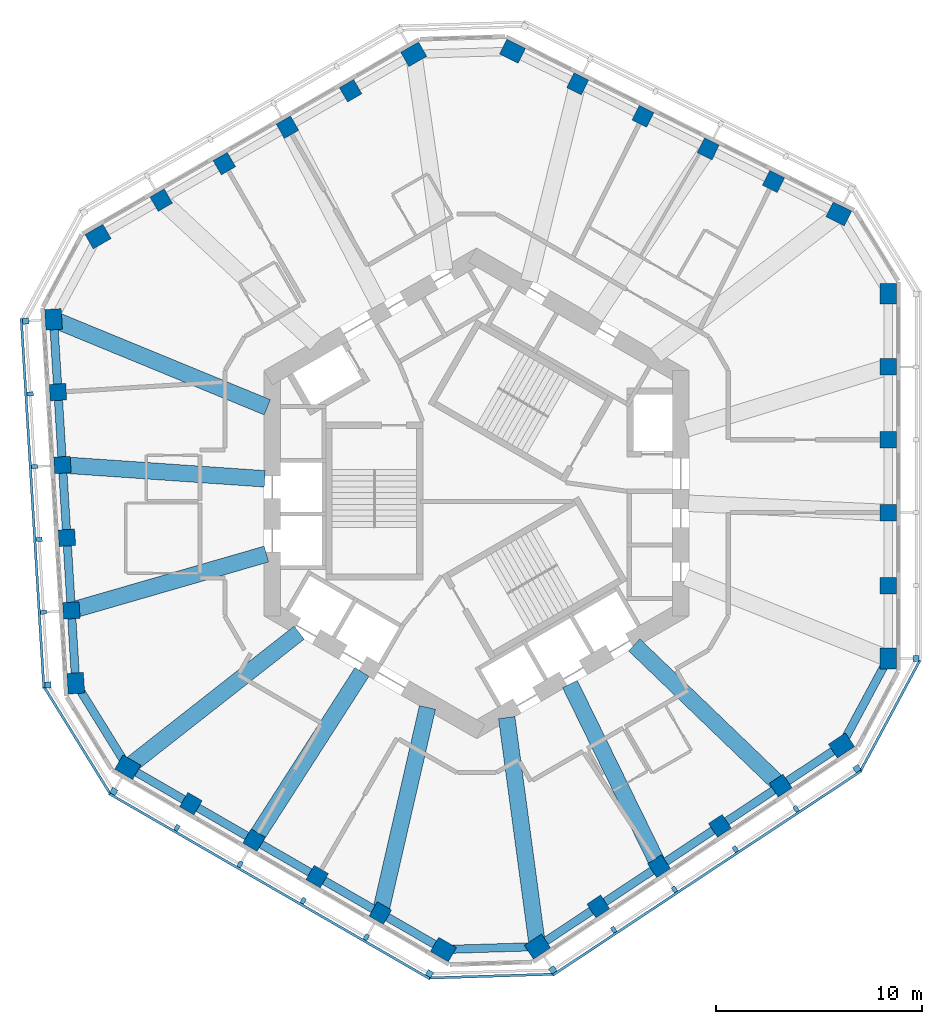
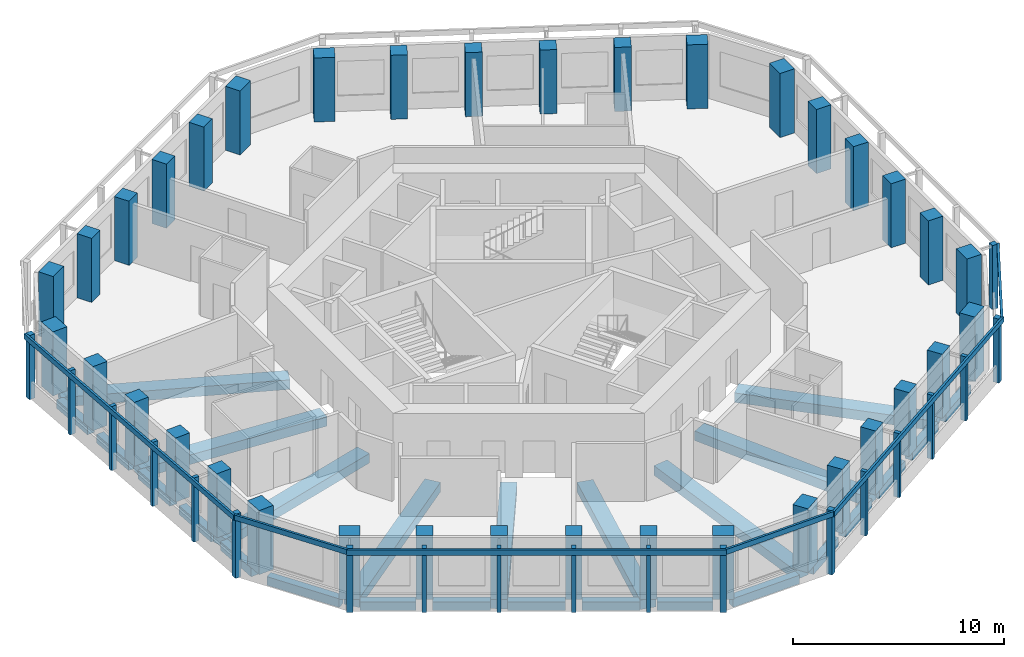
# One storey, part 1 of 11: 36 columns, 27 beams, 25 members, 7 elements without a shape of their own.
"""IFC4 building model written with IfcOpenShell, lengths in metres."""

from ifc_helpers import new_model, si_unit, direction, frame, origin, origin_2d, place, context, subcontext, project, spatial, rectangle, extrude, material, material_profile, profile_set, type_object, element, aggregate, save


model = new_model("IFC4")

# Units and contexts
model_context = context("Model", 3, precision=1e-05, world=origin(), true_north=direction((0.0, 1.0)))
body_context = subcontext(model_context, "Body", "Model", "MODEL_VIEW")
ifc_project = project(units=[si_unit("LENGTHUNIT", "METRE"), si_unit("AREAUNIT", "SQUARE_METRE"), si_unit("VOLUMEUNIT", "CUBIC_METRE"), si_unit("PLANEANGLEUNIT", "RADIAN"), si_unit("MASSUNIT", "GRAM", prefix="KILO")], contexts=[model_context])

# Site, building, storey
site_placement = place(None, origin())
site = spatial("IfcSite", under=ifc_project, at=site_placement, CompositionType="ELEMENT")
building_placement = place(site_placement, origin())
building = spatial("IfcBuilding", under=site, at=building_placement, Name="Vanh Sen Convention Tower", CompositionType="ELEMENT")
storey_placement = place(building_placement, frame((0.0, 0.0, 251.300048828125)))
storey = spatial("IfcBuildingStorey", under=building, at=storey_placement, Name="L62", CompositionType="ELEMENT", Elevation=251.300048828125)

# Columns
ifc_material_1 = material(Name="Concrete C60/75", Category="concrete")
ifc_material_profile_1 = material_profile(ifc_material_1, rectangle(XDim=0.800048828125, YDim=0.800048828125, at=origin_2d()), Name="RC 800X800")
ifc_profile_set_1 = profile_set([ifc_material_profile_1], Name="Concrete C60/75")
column_type_1 = type_object("IfcColumnType", Name="Facade column 800 x 800 C60/75", PredefinedType="COLUMN", material=ifc_profile_set_1)
for number, where, z_axis, x_axis, name in (
    (1, (19.949951171875, -4.46923828125, 0.0), (0.0, 0.0, 1.0), (0.0, 1.0, 0.0), "Facade column 02 L62"),
    (2, (19.949951171875, -0.935546875, 0.0), (0.0, 0.0, 1.0), (0.0, 1.0, 0.0), "Facade column 03 L62"),
    (3, (19.949951171875, 2.59814453125, 0.0), (0.0, 0.0, 1.0), (0.0, 1.0, 0.0), "Facade column 04 L62"),
    (4, (19.949951171875, 6.131591796875, 0.0), (0.0, 0.0, 1.0), (0.0, 1.0, 0.0), "Facade column 05 L62"),
    (5, (14.38916015625, 15.117919921875, 0.0), (0.0, 0.0, 1.0), (-0.894934361602, 0.44619781311, 0.0), "Facade column 08 L62"),
    (6, (11.226806640625, 16.694580078125, 0.0), (0.0, 0.0, 1.0), (-0.894934361602, 0.44619781311, 0.0), "Facade column 09 L62"),
    (7, (8.064453125, 18.271484375, 0.0), (0.0, 0.0, 1.0), (-0.894934361602, 0.44619781311, 0.0), "Facade column 10 L62"),
    (8, (4.902099609375, 19.84814453125, 0.0), (0.0, 0.0, 1.0), (-0.894934361602, 0.44619781311, 0.0), "Facade column 11 L62"),
    (9, (-6.1044921875, 19.51171875, 0.0), (0.0, 0.0, 1.0), (-0.866025403784, -0.5, 0.0), "Facade column 14 L62"),
    (10, (-9.164794921875, 17.7451171875, 0.0), (0.0, 0.0, 1.0), (-0.866025403784, -0.5, 0.0), "Facade column 15 L62"),
    (11, (-12.22509765625, 15.978271484375, 0.0), (0.0, 0.0, 1.0), (-0.866025403784, -0.5, 0.0), "Facade column 16 L62"),
    (12, (-15.28515625, 14.211181640625, 0.0), (0.0, 0.0, 1.0), (-0.866025403784, -0.5, 0.0), "Facade column 17 L62"),
    (13, (-20.287109375, 4.90234375, 0.0), (0.0, 0.0, 1.0), (0.061048539535, -0.998134798422, 0.0), "Facade column 20 L62"),
    (14, (-20.0712890625, 1.375244140625, 0.0), (0.0, 0.0, 1.0), (0.061048539535, -0.998134798422, 0.0), "Facade column 21 L62"),
    (15, (-19.855712890625, -2.151611328125, 0.0), (0.0, 0.0, 1.0), (0.061048539535, -0.998134798422, 0.0), "Facade column 22 L62"),
    (16, (-19.639892578125, -5.6787109375, 0.0), (0.0, 0.0, 1.0), (0.061048539535, -0.998134798422, 0.0), "Facade column 23 L62"),
    (17, (-13.845458984375, -15.04248046875, 0.0), (0.0, 0.0, 1.0), (0.866025403784, -0.5, 0.0), "Facade column 26 L62"),
    (18, (-10.78515625, -16.809326171875, 0.0), (0.0, 0.0, 1.0), (0.866025403784, -0.5, 0.0), "Facade column 27 L62"),
    (19, (-7.72509765625, -18.576416015625, 0.0), (0.0, 0.0, 1.0), (0.866025403784, -0.5, 0.0), "Facade column 28 L62"),
    (20, (-4.664794921875, -20.343017578125, 0.0), (0.0, 0.0, 1.0), (0.866025403784, -0.5, 0.0), "Facade column 29 L62"),
    (21, (5.89794921875, -20.0205078125, 0.0), (0.0, 0.0, 1.0), (0.833885822067, 0.551936985312, 0.0), "Facade column 32 L62"),
    (22, (8.844482421875, -18.070068359375, 0.0), (0.0, 0.0, 1.0), (0.833885822067, 0.551936985312, 0.0), "Facade column 33 L62"),
    (23, (11.791259765625, -16.11962890625, 0.0), (0.0, 0.0, 1.0), (0.833885822067, 0.551936985312, 0.0), "Facade column 34 L62"),
    (24, (14.73779296875, -14.169189453125, 0.0), (0.0, 0.0, 1.0), (0.833885822067, 0.551936985312, 0.0), "Facade column 35 L62"),
):
    element("IfcColumn", number, at=place(storey_placement, frame(where, z_axis=z_axis, x_axis=x_axis)), inside=storey, type_object=column_type_1, Name=name, PredefinedType="COLUMN", context=body_context, shape_type="SweptSolid", body=[
        extrude(rectangle(XDim=0.800048828125, YDim=0.800048828125, at=origin_2d()), origin(), (0.0, 0.0, 1.0), 3.699951171875),
    ])
ifc_material_profile_2 = material_profile(ifc_material_1, rectangle(XDim=1.0, YDim=0.800048828125, at=origin_2d()), Name="RC 1000X800")
ifc_profile_set_2 = profile_set([ifc_material_profile_2], Name="Concrete C60/75")
column_type_2 = type_object("IfcColumnType", Name="Facade corner column 1000 x 800 C60/75", PredefinedType="COLUMN", material=ifc_profile_set_2)
for number, where, z_axis, x_axis, name in (
    (25, (19.949951171875, -8.002685546875, 0.0), (0.0, 0.0, 1.0), (0.0, 1.0, 0.0), "Facade column 01 L62"),
    (26, (19.949951171875, 9.665283203125, 0.0), (0.0, 0.0, 1.0), (0.0, 1.0, 0.0), "Facade column 06 L62"),
    (27, (17.551513671875, 13.541259765625, 0.0), (0.0, 0.0, 1.0), (-0.894934361602, 0.44619781311, 0.0), "Facade column 07 L62"),
    (28, (1.73974609375, 21.4248046875, 0.0), (0.0, 0.0, 1.0), (-0.894934361602, 0.44619781311, 0.0), "Facade column 12 L62"),
    (29, (-3.04443359375, 21.278564453125, 0.0), (0.0, 0.0, 1.0), (-0.866025403784, -0.5, 0.0), "Facade column 13 L62"),
    (30, (-18.345458984375, 12.444580078125, 0.0), (0.0, 0.0, 1.0), (-0.866025403784, -0.5, 0.0), "Facade column 18 L62"),
    (31, (-20.502685546875, 8.429443359375, 0.0), (0.0, 0.0, 1.0), (0.061048539535, -0.998134798422, 0.0), "Facade column 19 L62"),
    (32, (-19.42431640625, -9.205810546875, 0.0), (0.0, 0.0, 1.0), (0.061048539535, -0.998134798422, 0.0), "Facade column 24 L62"),
    (33, (-16.905517578125, -13.27587890625, 0.0), (0.0, 0.0, 1.0), (0.866025403784, -0.5, 0.0), "Facade column 25 L62"),
    (34, (-1.6044921875, -22.10986328125, 0.0), (0.0, 0.0, 1.0), (0.866025403784, -0.5, 0.0), "Facade column 30 L62"),
    (35, (2.951416015625, -21.970703125, 0.0), (0.0, 0.0, 1.0), (0.833885822067, 0.551936985312, 0.0), "Facade column 31 L62"),
    (36, (17.6845703125, -12.218994140625, 0.0), (0.0, 0.0, 1.0), (0.833885822067, 0.551936985312, 0.0), "Facade column 36 L62"),
):
    element("IfcColumn", number, at=place(storey_placement, frame(where, z_axis=z_axis, x_axis=x_axis)), inside=storey, type_object=column_type_2, Name=name, PredefinedType="COLUMN", context=body_context, shape_type="SweptSolid", body=[
        extrude(rectangle(XDim=1.0, YDim=0.800048828125, at=origin_2d()), origin(), (0.0, 0.0, 1.0), 3.699951171875),
    ])

# Curtain wall, member
ifc_material_2 = material(Name="Concrete C50/60", Category="concrete")
curtain_wall_type = type_object("IfcCurtainWallType", Name="Outer skin office zone", PredefinedType="NOTDEFINED", material=ifc_material_2)
curtain_wall_1_placement = place(storey_placement, origin())
curtain_wall_1 = element("IfcCurtainWall", 37, at=curtain_wall_1_placement, inside=storey, type_object=curtain_wall_type, Name="OUTER SKIN E L62", PredefinedType="NOTDEFINED")
ifc_material_profile_3 = material_profile(ifc_material_2, rectangle(XDim=0.300048828125, YDim=0.300048828125, at=origin_2d()), Name="Outer skin precast corner fin 300 x 300")
ifc_profile_set_3 = profile_set([ifc_material_profile_3], Name="Concrete C50/60")
member_type_1 = type_object("IfcMemberType", Name="Outer skin precast corner fin 300 x 300", PredefinedType="MULLION", material=ifc_profile_set_3)
member_1_placement = place(storey_placement, frame((21.300048828125, -8.002685546875, 0.0), z_axis=(0.0, 0.0, 1.0), x_axis=(0.0, 1.0, 0.0)))
member_1 = element("IfcMember", 38, at=member_1_placement, type_object=member_type_1, Name="OUTER SKIN CORNER FIN 1 E L62", PredefinedType="MULLION", context=body_context, shape_type="SweptSolid", body=[
    extrude(rectangle(XDim=0.300048828125, YDim=0.300048828125, at=origin_2d()), origin(), (0.0, 0.0, 1.0), 3.699951171875),
])
aggregate(curtain_wall_1, [member_1])

# Curtain wall, members
curtain_wall_2_placement = place(storey_placement, origin())
curtain_wall_2 = element("IfcCurtainWall", 39, at=curtain_wall_2_placement, inside=storey, type_object=curtain_wall_type, Name="OUTER SKIN W L62", PredefinedType="NOTDEFINED")
member_2_placement = place(storey_placement, frame((-21.850341796875, 8.346923828125, 0.0), z_axis=(0.0, 0.0, 1.0), x_axis=(0.061048539535, -0.998134798422, 0.0)))
member_2 = element("IfcMember", 40, at=member_2_placement, type_object=member_type_1, Name="OUTER SKIN CORNER FIN 1 W L62", PredefinedType="MULLION", context=body_context, shape_type="SweptSolid", body=[
    extrude(rectangle(XDim=0.300048828125, YDim=0.300048828125, at=origin_2d()), origin(), (0.0, 0.0, 1.0), 3.699951171875),
])
member_3_placement = place(storey_placement, frame((-20.771728515625, -9.2880859375, 0.0), z_axis=(0.0, 0.0, 1.0), x_axis=(0.061048539535, -0.998134798422, 0.0)))
member_3 = element("IfcMember", 41, at=member_3_placement, type_object=member_type_1, Name="OUTER SKIN CORNER FIN 6 W L62", PredefinedType="MULLION", context=body_context, shape_type="SweptSolid", body=[
    extrude(rectangle(XDim=0.300048828125, YDim=0.300048828125, at=origin_2d()), origin(), (0.0, 0.0, 1.0), 3.699951171875),
])

curtain_wall_3_placement = place(storey_placement, origin())
curtain_wall_3 = element("IfcCurtainWall", 42, at=curtain_wall_3_placement, inside=storey, type_object=curtain_wall_type, Name="OUTER SKIN SW L62", PredefinedType="NOTDEFINED")
member_4_placement = place(storey_placement, frame((-17.58056640625, -14.44482421875, 0.0), z_axis=(0.0, 0.0, 1.0), x_axis=(0.866025403784, -0.5, 0.0)))
member_4 = element("IfcMember", 43, at=member_4_placement, type_object=member_type_1, Name="OUTER SKIN CORNER FIN 1 SW L62", PredefinedType="MULLION", context=body_context, shape_type="SweptSolid", body=[
    extrude(rectangle(XDim=0.300048828125, YDim=0.300048828125, at=origin_2d()), origin(), (0.0, 0.0, 1.0), 3.699951171875),
])
member_5_placement = place(storey_placement, frame((-2.279541015625, -23.279052734375, 0.0), z_axis=(0.0, 0.0, 1.0), x_axis=(0.866025403784, -0.5, 0.0)))
member_5 = element("IfcMember", 44, at=member_5_placement, type_object=member_type_1, Name="OUTER SKIN CORNER FIN 6 SW L62", PredefinedType="MULLION", context=body_context, shape_type="SweptSolid", body=[
    extrude(rectangle(XDim=0.300048828125, YDim=0.300048828125, at=origin_2d()), origin(), (0.0, 0.0, 1.0), 3.699951171875),
])

curtain_wall_4_placement = place(storey_placement, origin())
curtain_wall_4 = element("IfcCurtainWall", 45, at=curtain_wall_4_placement, inside=storey, type_object=curtain_wall_type, Name="OUTER SKIN SE L62", PredefinedType="NOTDEFINED")
member_6_placement = place(storey_placement, frame((3.6962890625, -23.096435546875, 0.0), z_axis=(0.0, 0.0, 1.0), x_axis=(0.833885822067, 0.551936985312, 0.0)))
member_6 = element("IfcMember", 46, at=member_6_placement, type_object=member_type_1, Name="OUTER SKIN CORNER FIN 1 SE L62", PredefinedType="MULLION", context=body_context, shape_type="SweptSolid", body=[
    extrude(rectangle(XDim=0.300048828125, YDim=0.300048828125, at=origin_2d()), origin(), (0.0, 0.0, 1.0), 3.699951171875),
])
member_7_placement = place(storey_placement, frame((18.4296875, -13.3447265625, 0.0), z_axis=(0.0, 0.0, 1.0), x_axis=(0.833885822067, 0.551936985312, 0.0)))
member_7 = element("IfcMember", 47, at=member_7_placement, type_object=member_type_1, Name="OUTER SKIN CORNER FIN 6 SE L62", PredefinedType="MULLION", context=body_context, shape_type="SweptSolid", body=[
    extrude(rectangle(XDim=0.300048828125, YDim=0.300048828125, at=origin_2d()), origin(), (0.0, 0.0, 1.0), 3.699951171875),
])

# Member
ifc_material_profile_4 = material_profile(ifc_material_2, rectangle(XDim=0.199951171875, YDim=0.300048828125, at=origin_2d()), Name="Outer skin precast fin 200 x 300")
ifc_profile_set_4 = profile_set([ifc_material_profile_4], Name="Concrete C50/60")
member_type_2 = type_object("IfcMemberType", Name="Outer skin precast fin 200 x 300", PredefinedType="MULLION", material=ifc_profile_set_4)
member_8_placement = place(storey_placement, frame((-21.634521484375, 4.820068359375, 0.0), z_axis=(0.0, 0.0, 1.0), x_axis=(0.061048539535, -0.998134798422, 0.0)))
member_8 = element("IfcMember", 48, at=member_8_placement, type_object=member_type_2, Name="OUTER SKIN fin 2 W L62", PredefinedType="MULLION", context=body_context, shape_type="SweptSolid", body=[
    extrude(rectangle(XDim=0.199951171875, YDim=0.300048828125, at=origin_2d()), origin(), (0.0, 0.0, 1.0), 3.699951171875),
])

member_9_placement = place(storey_placement, frame((-21.4189453125, 1.29296875, 0.0), z_axis=(0.0, 0.0, 1.0), x_axis=(0.061048539535, -0.998134798422, 0.0)))
member_9 = element("IfcMember", 49, at=member_9_placement, type_object=member_type_2, Name="OUTER SKIN fin 3 W L62", PredefinedType="MULLION", context=body_context, shape_type="SweptSolid", body=[
    extrude(rectangle(XDim=0.199951171875, YDim=0.300048828125, at=origin_2d()), origin(), (0.0, 0.0, 1.0), 3.699951171875),
])

member_10_placement = place(storey_placement, frame((-21.203125, -2.234130859375, 0.0), z_axis=(0.0, 0.0, 1.0), x_axis=(0.061048539535, -0.998134798422, 0.0)))
member_10 = element("IfcMember", 50, at=member_10_placement, type_object=member_type_2, Name="OUTER SKIN fin 4 W L62", PredefinedType="MULLION", context=body_context, shape_type="SweptSolid", body=[
    extrude(rectangle(XDim=0.199951171875, YDim=0.300048828125, at=origin_2d()), origin(), (0.0, 0.0, 1.0), 3.699951171875),
])

member_11_placement = place(storey_placement, frame((-20.987548828125, -5.760986328125, 0.0), z_axis=(0.0, 0.0, 1.0), x_axis=(0.061048539535, -0.998134798422, 0.0)))
member_11 = element("IfcMember", 51, at=member_11_placement, type_object=member_type_2, Name="OUTER SKIN fin 5 W L62", PredefinedType="MULLION", context=body_context, shape_type="SweptSolid", body=[
    extrude(rectangle(XDim=0.199951171875, YDim=0.300048828125, at=origin_2d()), origin(), (0.0, 0.0, 1.0), 3.699951171875),
])

member_12_placement = place(storey_placement, frame((-14.5205078125, -16.211669921875, 0.0), z_axis=(0.0, 0.0, 1.0), x_axis=(0.866025403784, -0.5, 0.0)))
member_12 = element("IfcMember", 52, at=member_12_placement, type_object=member_type_2, Name="OUTER SKIN fin 2 SW L62", PredefinedType="MULLION", context=body_context, shape_type="SweptSolid", body=[
    extrude(rectangle(XDim=0.199951171875, YDim=0.300048828125, at=origin_2d()), origin(), (0.0, 0.0, 1.0), 3.699951171875),
])

member_13_placement = place(storey_placement, frame((-11.460205078125, -17.978515625, 0.0), z_axis=(0.0, 0.0, 1.0), x_axis=(0.866025403784, -0.5, 0.0)))
member_13 = element("IfcMember", 53, at=member_13_placement, type_object=member_type_2, Name="OUTER SKIN fin 3 SW L62", PredefinedType="MULLION", context=body_context, shape_type="SweptSolid", body=[
    extrude(rectangle(XDim=0.199951171875, YDim=0.300048828125, at=origin_2d()), origin(), (0.0, 0.0, 1.0), 3.699951171875),
])

member_14_placement = place(storey_placement, frame((-8.39990234375, -19.745361328125, 0.0), z_axis=(0.0, 0.0, 1.0), x_axis=(0.866025403784, -0.5, 0.0)))
member_14 = element("IfcMember", 54, at=member_14_placement, type_object=member_type_2, Name="OUTER SKIN fin 4 SW L62", PredefinedType="MULLION", context=body_context, shape_type="SweptSolid", body=[
    extrude(rectangle(XDim=0.199951171875, YDim=0.300048828125, at=origin_2d()), origin(), (0.0, 0.0, 1.0), 3.699951171875),
])

member_15_placement = place(storey_placement, frame((-5.33984375, -21.51220703125, 0.0), z_axis=(0.0, 0.0, 1.0), x_axis=(0.866025403784, -0.5, 0.0)))
member_15 = element("IfcMember", 55, at=member_15_placement, type_object=member_type_2, Name="OUTER SKIN fin 5 SW L62", PredefinedType="MULLION", context=body_context, shape_type="SweptSolid", body=[
    extrude(rectangle(XDim=0.199951171875, YDim=0.300048828125, at=origin_2d()), origin(), (0.0, 0.0, 1.0), 3.699951171875),
])

member_16_placement = place(storey_placement, frame((6.64306640625, -21.14599609375, 0.0), z_axis=(0.0, 0.0, 1.0), x_axis=(0.833885822067, 0.551936985312, 0.0)))
member_16 = element("IfcMember", 56, at=member_16_placement, type_object=member_type_2, Name="OUTER SKIN fin 2 SE L62", PredefinedType="MULLION", context=body_context, shape_type="SweptSolid", body=[
    extrude(rectangle(XDim=0.199951171875, YDim=0.300048828125, at=origin_2d()), origin(), (0.0, 0.0, 1.0), 3.699951171875),
])

member_17_placement = place(storey_placement, frame((9.589599609375, -19.19580078125, 0.0), z_axis=(0.0, 0.0, 1.0), x_axis=(0.833885822067, 0.551936985312, 0.0)))
member_17 = element("IfcMember", 57, at=member_17_placement, type_object=member_type_2, Name="OUTER SKIN fin 3 SE L62", PredefinedType="MULLION", context=body_context, shape_type="SweptSolid", body=[
    extrude(rectangle(XDim=0.199951171875, YDim=0.300048828125, at=origin_2d()), origin(), (0.0, 0.0, 1.0), 3.699951171875),
])

member_18_placement = place(storey_placement, frame((12.536376953125, -17.245361328125, 0.0), z_axis=(0.0, 0.0, 1.0), x_axis=(0.833885822067, 0.551936985312, 0.0)))
member_18 = element("IfcMember", 58, at=member_18_placement, type_object=member_type_2, Name="OUTER SKIN fin 4 SE L62", PredefinedType="MULLION", context=body_context, shape_type="SweptSolid", body=[
    extrude(rectangle(XDim=0.199951171875, YDim=0.300048828125, at=origin_2d()), origin(), (0.0, 0.0, 1.0), 3.699951171875),
])

member_19_placement = place(storey_placement, frame((15.48291015625, -15.294921875, 0.0), z_axis=(0.0, 0.0, 1.0), x_axis=(0.833885822067, 0.551936985312, 0.0)))
member_19 = element("IfcMember", 59, at=member_19_placement, type_object=member_type_2, Name="OUTER SKIN fin 5 SE L62", PredefinedType="MULLION", context=body_context, shape_type="SweptSolid", body=[
    extrude(rectangle(XDim=0.199951171875, YDim=0.300048828125, at=origin_2d()), origin(), (0.0, 0.0, 1.0), 3.699951171875),
])

ifc_material_profile_5 = material_profile(ifc_material_2, rectangle(XDim=0.1201171875, YDim=0.300048828125, at=origin_2d()), Name="Outer skin precast spandrel band 300 x 120")
ifc_profile_set_5 = profile_set([ifc_material_profile_5], Name="Concrete C50/60")
member_type_3 = type_object("IfcMemberType", Name="Outer skin precast spandrel band 300 x 120", PredefinedType="USERDEFINED", material=ifc_profile_set_5)
member_20_placement = place(storey_placement, frame((-22.069091796875, 8.48388671875, 3.550048828125), z_axis=(0.061048457282, -0.998134803453, 0.0), x_axis=(0.998134803453, 0.061048457282, 0.0)))
member_20 = element("IfcMember", 60, at=member_20_placement, type_object=member_type_3, Name="OUTER SKIN spandrel band W L62", ObjectType="TRANSOM", PredefinedType="USERDEFINED", context=body_context, shape_type="SweptSolid", body=[
    extrude(rectangle(XDim=0.1201171875, YDim=0.300048828125, at=origin_2d()), origin(), (0.0, 0.0, 1.0), 17.968017578125),
])

aggregate(curtain_wall_2, [member_2, member_8, member_9, member_10, member_11, member_3, member_20])

# Curtain wall, member
curtain_wall_5_placement = place(storey_placement, origin())
curtain_wall_5 = element("IfcCurtainWall", 61, at=curtain_wall_5_placement, inside=storey, type_object=curtain_wall_type, Name="OUTER SKIN CH4 L62", PredefinedType="NOTDEFINED")
member_21_placement = place(storey_placement, frame((-20.9501953125, -9.398681640625, 3.550048828125), z_axis=(0.526193830542, -0.850364658661, 0.0), x_axis=(0.850364658661, 0.526193830542, 0.0)))
member_21 = element("IfcMember", 62, at=member_21_placement, type_object=member_type_3, Name="OUTER SKIN spandrel band CH4 L62", ObjectType="TRANSOM", PredefinedType="USERDEFINED", context=body_context, shape_type="SweptSolid", body=[
    extrude(rectangle(XDim=0.1201171875, YDim=0.300048828125, at=origin_2d()), origin(), (0.0, 0.0, 1.0), 6.064208984375),
])
aggregate(curtain_wall_5, [member_21])

# Member
member_22_placement = place(storey_placement, frame((-17.8154296875, -14.5517578125, 3.550048828125), z_axis=(0.866022898019, -0.500004340088, 0.0), x_axis=(0.500004340088, 0.866022898019, 0.0)))
member_22 = element("IfcMember", 63, at=member_22_placement, type_object=member_type_3, Name="OUTER SKIN spandrel band SW L62", ObjectType="TRANSOM", PredefinedType="USERDEFINED", context=body_context, shape_type="SweptSolid", body=[
    extrude(rectangle(XDim=0.1201171875, YDim=0.300048828125, at=origin_2d()), origin(), (0.0, 0.0, 1.0), 17.968017578125),
])

aggregate(curtain_wall_3, [member_4, member_12, member_13, member_14, member_15, member_5, member_22])

# Curtain wall, member
curtain_wall_6_placement = place(storey_placement, origin())
curtain_wall_6 = element("IfcCurtainWall", 64, at=curtain_wall_6_placement, inside=storey, type_object=curtain_wall_type, Name="OUTER SKIN CH5 L62", PredefinedType="NOTDEFINED")
member_23_placement = place(storey_placement, frame((-2.273193359375, -23.489013671875, 3.550048828125), z_axis=(0.99953342946, 0.030543794642, 0.0), x_axis=(-0.030543794642, 0.99953342946, 0.0)))
member_23 = element("IfcMember", 65, at=member_23_placement, type_object=member_type_3, Name="OUTER SKIN spandrel band CH5 L62", ObjectType="TRANSOM", PredefinedType="USERDEFINED", context=body_context, shape_type="SweptSolid", body=[
    extrude(rectangle(XDim=0.1201171875, YDim=0.300048828125, at=origin_2d()), origin(), (0.0, 0.0, 1.0), 5.978759765625),
])
aggregate(curtain_wall_6, [member_23])

# Member
member_24_placement = place(storey_placement, frame((3.687255859375, -23.3544921875, 3.550048828125), z_axis=(0.83388107344, 0.551944159638, 0.0), x_axis=(-0.551944159638, 0.83388107344, 0.0)))
member_24 = element("IfcMember", 66, at=member_24_placement, type_object=member_type_3, Name="OUTER SKIN spandrel band SE L62", ObjectType="TRANSOM", PredefinedType="USERDEFINED", context=body_context, shape_type="SweptSolid", body=[
    extrude(rectangle(XDim=0.1201171875, YDim=0.300048828125, at=origin_2d()), origin(), (0.0, 0.0, 1.0), 17.96826171875),
])

aggregate(curtain_wall_4, [member_6, member_16, member_17, member_18, member_19, member_7, member_24])

# Curtain wall, member
curtain_wall_7_placement = place(storey_placement, origin())
curtain_wall_7 = element("IfcCurtainWall", 67, at=curtain_wall_7_placement, inside=storey, type_object=curtain_wall_type, Name="OUTER SKIN CH6 L62", PredefinedType="NOTDEFINED")
member_25_placement = place(storey_placement, frame((18.61474609375, -13.444091796875, 3.550048828125), z_axis=(0.473333785199, 0.880883152177, 0.0), x_axis=(-0.880883152177, 0.473333785199, 0.0)))
member_25 = element("IfcMember", 68, at=member_25_placement, type_object=member_type_3, Name="OUTER SKIN spandrel band CH6 L62", ObjectType="TRANSOM", PredefinedType="USERDEFINED", context=body_context, shape_type="SweptSolid", body=[
    extrude(rectangle(XDim=0.1201171875, YDim=0.300048828125, at=origin_2d()), origin(), (0.0, 0.0, 1.0), 6.064208984375),
])
aggregate(curtain_wall_7, [member_25])

# Beams
ifc_material_3 = material(Name="Concrete C50/60", Category="concrete")
ifc_material_profile_6 = material_profile(ifc_material_3, rectangle(XDim=0.800048828125, YDim=0.550048828125, at=origin_2d()), Name="RC 800X550")
ifc_profile_set_6 = profile_set([ifc_material_profile_6], Name="Concrete C50/60")
beam_type_1 = type_object("IfcBeamType", Name="Radial floor beam 800 x 550", PredefinedType="BEAM", material=ifc_profile_set_6)
beam_1_placement = place(storey_placement, frame((-20.275634765625, 8.3359375, -0.554931640625), z_axis=(0.924882422431, -0.380253211266, 0.0), x_axis=(0.380253211266, 0.924882422431, 0.0)))
element("IfcBeam", 69, at=beam_1_placement, inside=storey, type_object=beam_type_1, Name="Radial beam 10 L62", PredefinedType="BEAM", context=body_context, shape_type="SweptSolid", body=[
    extrude(rectangle(XDim=0.800048828125, YDim=0.550048828125, at=origin_2d()), origin(), (0.0, 0.0, 1.0), 10.955322265625),
])
beam_2_placement = place(storey_placement, frame((-20.050537109375, 1.373779296875, -0.554931640625), z_axis=(0.997661867586, -0.068343236418, 0.0), x_axis=(0.068343236418, 0.997661867586, 0.0)))
element("IfcBeam", 70, at=beam_2_placement, inside=storey, type_object=beam_type_1, Name="Radial beam 11 L62", PredefinedType="BEAM", context=body_context, shape_type="SweptSolid", body=[
    extrude(rectangle(XDim=0.800048828125, YDim=0.550048828125, at=origin_2d()), origin(), (0.0, 0.0, 1.0), 9.805908203125),
])
beam_3_placement = place(storey_placement, frame((-19.602294921875, -5.667724609375, -0.554931640625), z_axis=(0.960650858228, 0.277758759693, 0.0), x_axis=(-0.277758759693, 0.960650858228, 0.0)))
element("IfcBeam", 71, at=beam_3_placement, inside=storey, type_object=beam_type_1, Name="Radial beam 12 L62", PredefinedType="BEAM", context=body_context, shape_type="SweptSolid", body=[
    extrude(rectangle(XDim=0.800048828125, YDim=0.550048828125, at=origin_2d()), origin(), (0.0, 0.0, 1.0), 9.803955078125),
])
beam_4_placement = place(storey_placement, frame((-16.69677734375, -13.11181640625, -0.554931640625), z_axis=(0.786476273666, 0.617620491047, 0.0), x_axis=(-0.617620491047, 0.786476273666, 0.0)))
element("IfcBeam", 72, at=beam_4_placement, inside=storey, type_object=beam_type_1, Name="Radial beam 13 L62", PredefinedType="BEAM", context=body_context, shape_type="SweptSolid", body=[
    extrude(rectangle(XDim=0.800048828125, YDim=0.550048828125, at=origin_2d()), origin(), (0.0, 0.0, 1.0), 10.29736328125),
])
beam_5_placement = place(storey_placement, frame((-10.782958984375, -16.805908203125, -0.554931640625), z_axis=(0.540018071199, 0.841653422009, 0.0), x_axis=(-0.841653422009, 0.540018071199, 0.0)))
element("IfcBeam", 73, at=beam_5_placement, inside=storey, type_object=beam_type_1, Name="Radial beam 14 L62", PredefinedType="BEAM", context=body_context, shape_type="SweptSolid", body=[
    extrude(rectangle(XDim=0.800048828125, YDim=0.550048828125, at=origin_2d()), origin(), (0.0, 0.0, 1.0), 9.680419921875),
])
beam_6_placement = place(storey_placement, frame((-4.652587890625, -20.289306640625, -0.554931640625), z_axis=(0.223507322127, 0.974702250411, 0.0), x_axis=(-0.974702250411, 0.223507322127, 0.0)))
element("IfcBeam", 74, at=beam_6_placement, inside=storey, type_object=beam_type_1, Name="Radial beam 15 L62", PredefinedType="BEAM", context=body_context, shape_type="SweptSolid", body=[
    extrude(rectangle(XDim=0.800048828125, YDim=0.550048828125, at=origin_2d()), origin(), (0.0, 0.0, 1.0), 10.16845703125),
])
beam_7_placement = place(storey_placement, frame((2.918701171875, -21.727294921875, -0.554931640625), z_axis=(-0.133129984992, 0.991098585962, 0.0), x_axis=(-0.991098585962, -0.133129984992, 0.0)))
element("IfcBeam", 75, at=beam_7_placement, inside=storey, type_object=beam_type_1, Name="Radial beam 16 L62", PredefinedType="BEAM", context=body_context, shape_type="SweptSolid", body=[
    extrude(rectangle(XDim=0.800048828125, YDim=0.550048828125, at=origin_2d()), origin(), (0.0, 0.0, 1.0), 10.955322265625),
])
beam_8_placement = place(storey_placement, frame((8.83544921875, -18.05126953125, -0.554931640625), z_axis=(-0.439638766278, 0.898174679662, 0.0), x_axis=(-0.898174679662, -0.439638766278, 0.0)))
element("IfcBeam", 76, at=beam_8_placement, inside=storey, type_object=beam_type_1, Name="Radial beam 17 L62", PredefinedType="BEAM", context=body_context, shape_type="SweptSolid", body=[
    extrude(rectangle(XDim=0.800048828125, YDim=0.550048828125, at=origin_2d()), origin(), (0.0, 0.0, 1.0), 9.805908203125),
])
beam_9_placement = place(storey_placement, frame((14.709716796875, -14.14208984375, -0.554931640625), z_axis=(-0.720890006094, 0.693049492542, 0.0), x_axis=(-0.693049492542, -0.720890006094, 0.0)))
element("IfcBeam", 77, at=beam_9_placement, inside=storey, type_object=beam_type_1, Name="Radial beam 18 L62", PredefinedType="BEAM", context=body_context, shape_type="SweptSolid", body=[
    extrude(rectangle(XDim=0.800048828125, YDim=0.550048828125, at=origin_2d()), origin(), (0.0, 0.0, 1.0), 9.803955078125),
])
ifc_material_profile_7 = material_profile(ifc_material_3, rectangle(XDim=0.39990234375, YDim=0.5, at=origin_2d()), Name="RC 400X500")
ifc_profile_set_7 = profile_set([ifc_material_profile_7], Name="Concrete C50/60")
beam_type_2 = type_object("IfcBeamType", Name="Spandrel beam 400 x 500", PredefinedType="SPANDREL", material=ifc_profile_set_7)
beam_10_placement = place(storey_placement, frame((-20.47265625, 7.935302734375, -0.530029296875), z_axis=(0.061044344131, -0.998135055015, 0.0), x_axis=(0.998135055015, 0.061044344131, 0.0)))
element("IfcBeam", 78, at=beam_10_placement, inside=storey, type_object=beam_type_2, Name="Spandrel beam 19 L62", PredefinedType="SPANDREL", context=body_context, shape_type="SweptSolid", body=[
    extrude(rectangle(XDim=0.39990234375, YDim=0.5, at=origin_2d()), origin(), (0.0, 0.0, 1.0), 2.6435546875),
])
for number, where, z_axis, x_axis, name in (
    (79, (-20.262939453125, 4.50830078125, -0.530029296875), (0.0610377007, -0.998135461294, 0.0), (0.998135461294, 0.0610377007, 0.0), "Spandrel beam 20 L62"),
    (80, (-20.04736328125, 0.981201171875, -0.530029296875), (0.0610377007, -0.998135461294, 0.0), (0.998135461294, 0.0610377007, 0.0), "Spandrel beam 21 L62"),
):
    element("IfcBeam", number, at=place(storey_placement, frame(where, z_axis=z_axis, x_axis=x_axis)), inside=storey, type_object=beam_type_2, Name=name, PredefinedType="SPANDREL", context=body_context, shape_type="SweptSolid", body=[
        extrude(rectangle(XDim=0.39990234375, YDim=0.5, at=origin_2d()), origin(), (0.0, 0.0, 1.0), 2.743896484375),
    ])
beam_11_placement = place(storey_placement, frame((-19.83154296875, -2.5458984375, -0.530029296875), z_axis=(0.061043121959, -0.99813512976, 0.0), x_axis=(0.99813512976, 0.061043121959, 0.0)))
element("IfcBeam", 81, at=beam_11_placement, inside=storey, type_object=beam_type_2, Name="Spandrel beam 22 L62", PredefinedType="SPANDREL", context=body_context, shape_type="SweptSolid", body=[
    extrude(rectangle(XDim=0.39990234375, YDim=0.5, at=origin_2d()), origin(), (0.0, 0.0, 1.0), 2.74365234375),
])
beam_12_placement = place(storey_placement, frame((-19.615966796875, -6.072998046875, -0.530029296875), z_axis=(0.061130715794, -0.998129768911, 0.0), x_axis=(0.998129768911, 0.061130715794, 0.0)))
element("IfcBeam", 82, at=beam_12_placement, inside=storey, type_object=beam_type_2, Name="Spandrel beam 23 L62", PredefinedType="SPANDREL", context=body_context, shape_type="SweptSolid", body=[
    extrude(rectangle(XDim=0.39990234375, YDim=0.5, at=origin_2d()), origin(), (0.0, 0.0, 1.0), 2.643798828125),
])
beam_13_placement = place(storey_placement, frame((-19.184814453125, -9.5927734375, -0.530029296875), z_axis=(0.526228847955, -0.850342989376, 0.0), x_axis=(0.850342989376, 0.526228847955, 0.0)))
element("IfcBeam", 83, at=beam_13_placement, inside=storey, type_object=beam_type_2, Name="Spandrel beam 24 L62", PredefinedType="SPANDREL", context=body_context, shape_type="SweptSolid", body=[
    extrude(rectangle(XDim=0.39990234375, YDim=0.5, at=origin_2d()), origin(), (0.0, 0.0, 1.0), 3.876220703125),
])
beam_14_placement = place(storey_placement, frame((-16.476806640625, -13.523193359375, -0.530029296875), z_axis=(0.865977951575, -0.500082180631, 0.0), x_axis=(0.500082180631, 0.865977951575, 0.0)))
element("IfcBeam", 84, at=beam_14_placement, inside=storey, type_object=beam_type_2, Name="Spandrel beam 25 L62", PredefinedType="SPANDREL", context=body_context, shape_type="SweptSolid", body=[
    extrude(rectangle(XDim=0.39990234375, YDim=0.5, at=origin_2d()), origin(), (0.0, 0.0, 1.0), 2.6435546875),
])
beam_15_placement = place(storey_placement, frame((-13.50341796875, -15.239990234375, -0.530029296875), z_axis=(0.866038895281, -0.499976631314, 0.0), x_axis=(0.499976631314, 0.866038895281, 0.0)))
element("IfcBeam", 85, at=beam_15_placement, inside=storey, type_object=beam_type_2, Name="Spandrel beam 26 L62", PredefinedType="SPANDREL", context=body_context, shape_type="SweptSolid", body=[
    extrude(rectangle(XDim=0.39990234375, YDim=0.5, at=origin_2d()), origin(), (0.0, 0.0, 1.0), 2.743896484375),
])
for number, where, z_axis, x_axis, name in (
    (86, (-10.443115234375, -17.0068359375, -0.530029296875), (0.865978115955, -0.500081895979, 0.0), (0.500081895979, 0.865978115955, 0.0), "Spandrel beam 27 L62"),
    (87, (-7.3828125, -18.773681640625, -0.530029296875), (0.866016649877, -0.500015161905, 0.0), (0.500015161905, 0.866016649877, 0.0), "Spandrel beam 28 L62"),
):
    element("IfcBeam", number, at=place(storey_placement, frame(where, z_axis=z_axis, x_axis=x_axis)), inside=storey, type_object=beam_type_2, Name=name, PredefinedType="SPANDREL", context=body_context, shape_type="SweptSolid", body=[
        extrude(rectangle(XDim=0.39990234375, YDim=0.5, at=origin_2d()), origin(), (0.0, 0.0, 1.0), 2.74365234375),
    ])
beam_16_placement = place(storey_placement, frame((-4.32275390625, -20.54052734375, -0.530029296875), z_axis=(0.866041031621, -0.499972930816, 0.0), x_axis=(0.499972930816, 0.866041031621, 0.0)))
element("IfcBeam", 88, at=beam_16_placement, inside=storey, type_object=beam_type_2, Name="Spandrel beam 29 L62", PredefinedType="SPANDREL", context=body_context, shape_type="SweptSolid", body=[
    extrude(rectangle(XDim=0.39990234375, YDim=0.5, at=origin_2d()), origin(), (0.0, 0.0, 1.0), 2.643798828125),
])
beam_17_placement = place(storey_placement, frame((-1.1728515625, -22.0966796875, -0.530029296875), z_axis=(0.999533752193, 0.03053323152, 0.0), x_axis=(-0.03053323152, 0.999533752193, 0.0)))
element("IfcBeam", 89, at=beam_17_placement, inside=storey, type_object=beam_type_2, Name="Spandrel beam 30 L62", PredefinedType="SPANDREL", context=body_context, shape_type="SweptSolid", body=[
    extrude(rectangle(XDim=0.39990234375, YDim=0.5, at=origin_2d()), origin(), (0.0, 0.0, 1.0), 3.694091796875),
])
beam_18_placement = place(storey_placement, frame((3.364013671875, -21.697509765625, -0.530029296875), z_axis=(0.833878452865, 0.551948118801, 0.0), x_axis=(-0.551948118801, 0.833878452865, 0.0)))
element("IfcBeam", 90, at=beam_18_placement, inside=storey, type_object=beam_type_2, Name="Spandrel beam 31 L62", PredefinedType="SPANDREL", context=body_context, shape_type="SweptSolid", body=[
    extrude(rectangle(XDim=0.39990234375, YDim=0.5, at=origin_2d()), origin(), (0.0, 0.0, 1.0), 2.643798828125),
])
for number, where, z_axis, x_axis, name in (
    (91, (6.227294921875, -19.802490234375, -0.530029296875), (0.83386655609, 0.551966091925, 0.0), (-0.551966091925, 0.83386655609, 0.0), "Spandrel beam 32 L62"),
    (92, (9.174072265625, -17.85205078125, -0.530029296875), (0.83386655609, 0.551966091925, 0.0), (-0.551966091925, 0.83386655609, 0.0), "Spandrel beam 33 L62"),
    (93, (12.12060546875, -15.901611328125, -0.530029296875), (0.83386655609, 0.551966091925, 0.0), (-0.551966091925, 0.83386655609, 0.0), "Spandrel beam 34 L62"),
):
    element("IfcBeam", number, at=place(storey_placement, frame(where, z_axis=z_axis, x_axis=x_axis)), inside=storey, type_object=beam_type_2, Name=name, PredefinedType="SPANDREL", context=body_context, shape_type="SweptSolid", body=[
        extrude(rectangle(XDim=0.39990234375, YDim=0.5, at=origin_2d()), origin(), (0.0, 0.0, 1.0), 2.74365234375),
    ])
beam_19_placement = place(storey_placement, frame((15.0673828125, -13.951416015625, -0.530029296875), z_axis=(0.833850316908, 0.551990624007, 0.0), x_axis=(-0.551990624007, 0.833850316908, 0.0)))
element("IfcBeam", 94, at=beam_19_placement, inside=storey, type_object=beam_type_2, Name="Spandrel beam 35 L62", PredefinedType="SPANDREL", context=body_context, shape_type="SweptSolid", body=[
    extrude(rectangle(XDim=0.39990234375, YDim=0.5, at=origin_2d()), origin(), (0.0, 0.0, 1.0), 2.6435546875),
])
beam_20_placement = place(storey_placement, frame((17.89990234375, -11.818115234375, -0.530029296875), z_axis=(0.47334842759, 0.880875284077, 0.0), x_axis=(-0.880875284077, 0.47334842759, 0.0)))
element("IfcBeam", 95, at=beam_20_placement, inside=storey, type_object=beam_type_2, Name="Spandrel beam 36 L62", PredefinedType="SPANDREL", context=body_context, shape_type="SweptSolid", body=[
    extrude(rectangle(XDim=0.39990234375, YDim=0.5, at=origin_2d()), origin(), (0.0, 0.0, 1.0), 3.8759765625),
])

save(model, "model.ifc")
